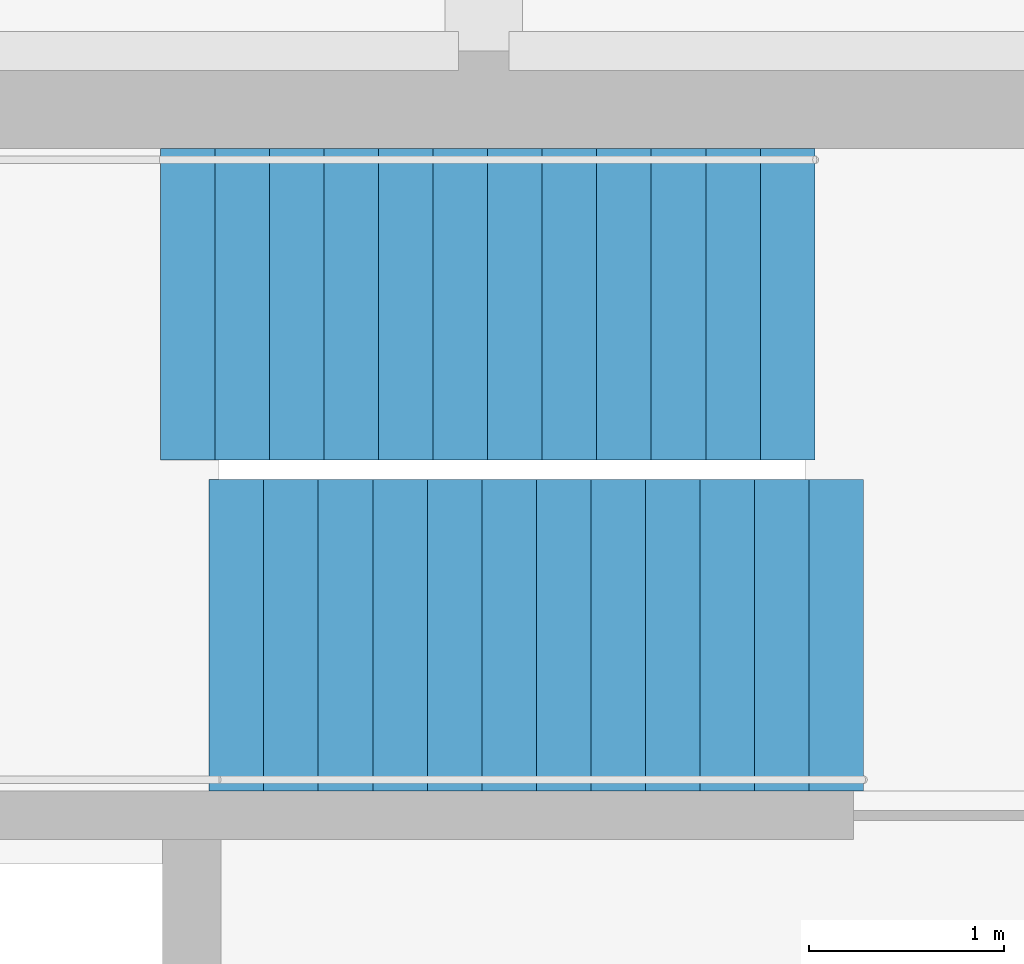
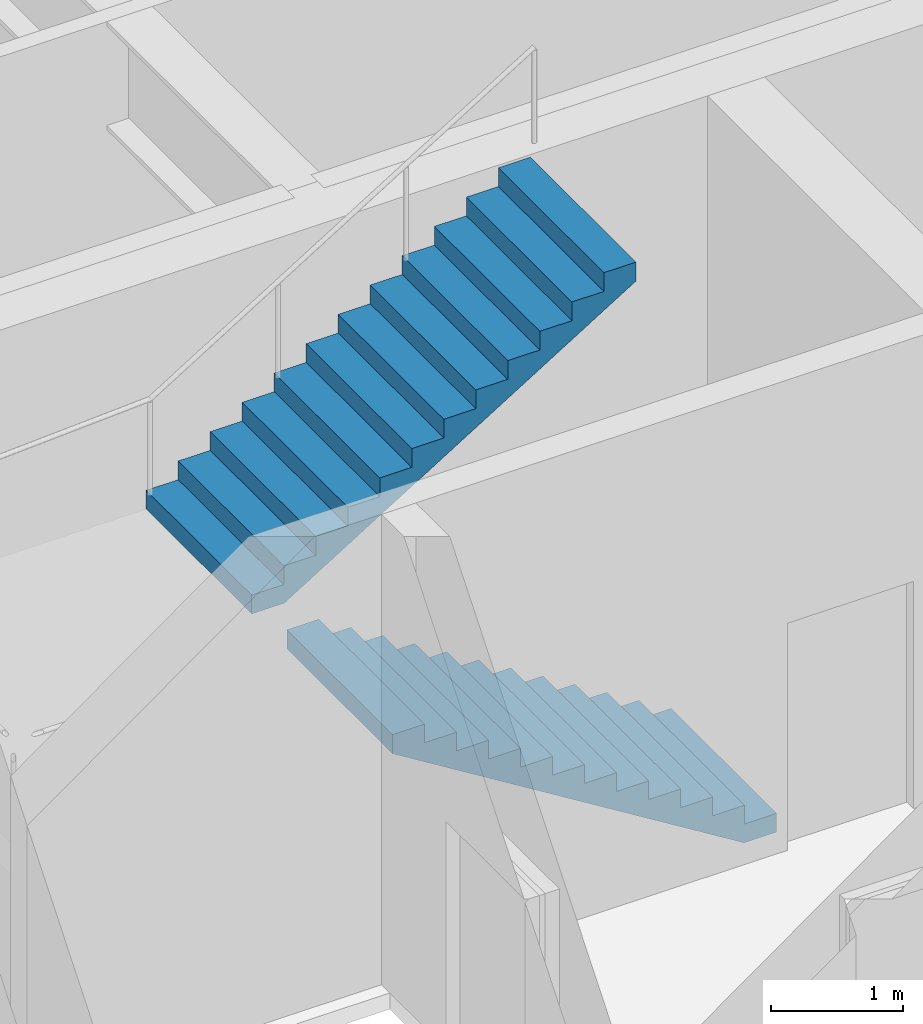
# One storey, part 17 of 27: 2 stair flights, 1 element without a shape of its own.
"""IFC4 building model written with IfcOpenShell, lengths in metres."""

from ifc_helpers import new_model, si_unit, direction, frame, origin, place, context, subcontext, project, spatial, polyline, outline, extrude, material, type_object, element, aggregate, save


model = new_model("IFC4")

# Units and contexts
model_context = context("Model", 3, precision=1e-05, world=origin(), true_north=direction((0.0, 1.0)))
body_context = subcontext(model_context, "Body", "Model", "MODEL_VIEW")
ifc_project = project(units=[si_unit("LENGTHUNIT", "METRE"), si_unit("AREAUNIT", "SQUARE_METRE"), si_unit("VOLUMEUNIT", "CUBIC_METRE"), si_unit("PLANEANGLEUNIT", "RADIAN"), si_unit("MASSUNIT", "GRAM", prefix="KILO")], contexts=[model_context])

# Site, building, storey
site_placement = place(None, origin())
site = spatial("IfcSite", under=ifc_project, at=site_placement, CompositionType="ELEMENT")
building_placement = place(site_placement, origin())
building = spatial("IfcBuilding", under=site, at=building_placement, Name="Siwar Civic Tower", CompositionType="ELEMENT")
storey_placement = place(building_placement, frame((0.0, 0.0, 35.699951171875)))
storey = spatial("IfcBuildingStorey", under=building, at=storey_placement, Name="L07", CompositionType="ELEMENT", Elevation=35.699951171875)

# Stair, stair flights
ifc_material_1 = material(Name="Concrete C40/50", Category="concrete")
stair_type = type_object("IfcStairType", Name="CORE-STAIR", PredefinedType="TWO_STRAIGHT_RUN_STAIR", material=ifc_material_1)
stair_placement = place(storey_placement, origin())
stair = element("IfcStair", 1, at=stair_placement, inside=storey, type_object=stair_type, Name="Exit stair ST3", PredefinedType="TWO_STRAIGHT_RUN_STAIR")
ifc_material_2 = material(Name="Concrete C40/50", Category="concrete")
stair_flight_type = type_object("IfcStairFlightType", Name="CORE-STAIR-FLIGHT", PredefinedType="STRAIGHT", material=ifc_material_2)
stair_flight_1_placement = place(storey_placement, frame((15.449951171875, 10.5, 0.0), z_axis=(0.0, 0.0, 1.0), x_axis=(-1.0, 0.0, 0.0)))
stair_flight_1 = element("IfcStairFlight", 2, at=stair_flight_1_placement, type_object=stair_flight_type, Name="ST3 flight 1", NumberOfRisers=13, NumberOfTreads=12, PredefinedType="STRAIGHT", RiserHeight=0.173076923, TreadLength=0.28, context=body_context, shape_type="SweptSolid", body=[
    extrude(outline(polyline([(0.0, 0.0), (0.0, 0.173095703125), (0.280029296875, 0.173095703125), (0.280029296875, 0.34619140625), (0.56005859375, 0.34619140625), (0.56005859375, 0.519287109375), (0.840087890625, 0.519287109375), (0.840087890625, 0.6923828125), (1.1201171875, 0.6923828125), (1.1201171875, 0.865478515625), (1.39990234375, 0.865478515625), (1.39990234375, 1.03857421875), (1.679931640625, 1.03857421875), (1.679931640625, 1.21142578125), (1.9599609375, 1.21142578125), (1.9599609375, 1.384521484375), (2.239990234375, 1.384521484375), (2.239990234375, 1.5576171875), (2.52001953125, 1.5576171875), (2.52001953125, 1.730712890625), (2.800048828125, 1.730712890625), (2.800048828125, 1.90380859375), (3.080078125, 1.90380859375), (3.080078125, 2.076904296875), (3.360107421875, 2.076904296875), (3.360107421875, 2.25), (3.360107421875, 1.900634765625), (0.28515625, 0.0), (0.0, 0.0)])), frame((0.0, 0.800048828125, 0.0), z_axis=(0.0, -1.0, 0.0), x_axis=(1.0, 0.0, 0.0)), (0.0, 0.0, 1.0), 1.60009765625),
])
stair_flight_2_placement = place(storey_placement, frame((11.840087890625, 12.199951171875, 2.25), z_axis=(0.0, 0.0, 1.0), x_axis=(1.0, 0.0, 0.0)))
stair_flight_2 = element("IfcStairFlight", 3, at=stair_flight_2_placement, type_object=stair_flight_type, Name="ST3 flight 2", NumberOfRisers=13, NumberOfTreads=12, PredefinedType="STRAIGHT", RiserHeight=0.173076923, TreadLength=0.28, context=body_context, shape_type="SweptSolid", body=[
    extrude(outline(polyline([(0.0, 0.0), (0.0, 0.173095703125), (0.280029296875, 0.173095703125), (0.280029296875, 0.34619140625), (0.56005859375, 0.34619140625), (0.56005859375, 0.519287109375), (0.840087890625, 0.519287109375), (0.840087890625, 0.6923828125), (1.1201171875, 0.6923828125), (1.1201171875, 0.865478515625), (1.39990234375, 0.865478515625), (1.39990234375, 1.03857421875), (1.679931640625, 1.03857421875), (1.679931640625, 1.21142578125), (1.9599609375, 1.21142578125), (1.9599609375, 1.384521484375), (2.239990234375, 1.384521484375), (2.239990234375, 1.5576171875), (2.52001953125, 1.5576171875), (2.52001953125, 1.730712890625), (2.800048828125, 1.730712890625), (2.800048828125, 1.90380859375), (3.080078125, 1.90380859375), (3.080078125, 2.076904296875), (3.360107421875, 2.076904296875), (3.360107421875, 2.25), (3.360107421875, 1.900634765625), (0.28515625, 0.0), (0.0, 0.0)])), frame((0.0, 0.800048828125, 0.0), z_axis=(0.0, -1.0, 0.0), x_axis=(1.0, 0.0, 0.0)), (0.0, 0.0, 1.0), 1.60009765625),
])
aggregate(stair, [stair_flight_1, stair_flight_2])

save(model, "model.ifc")
